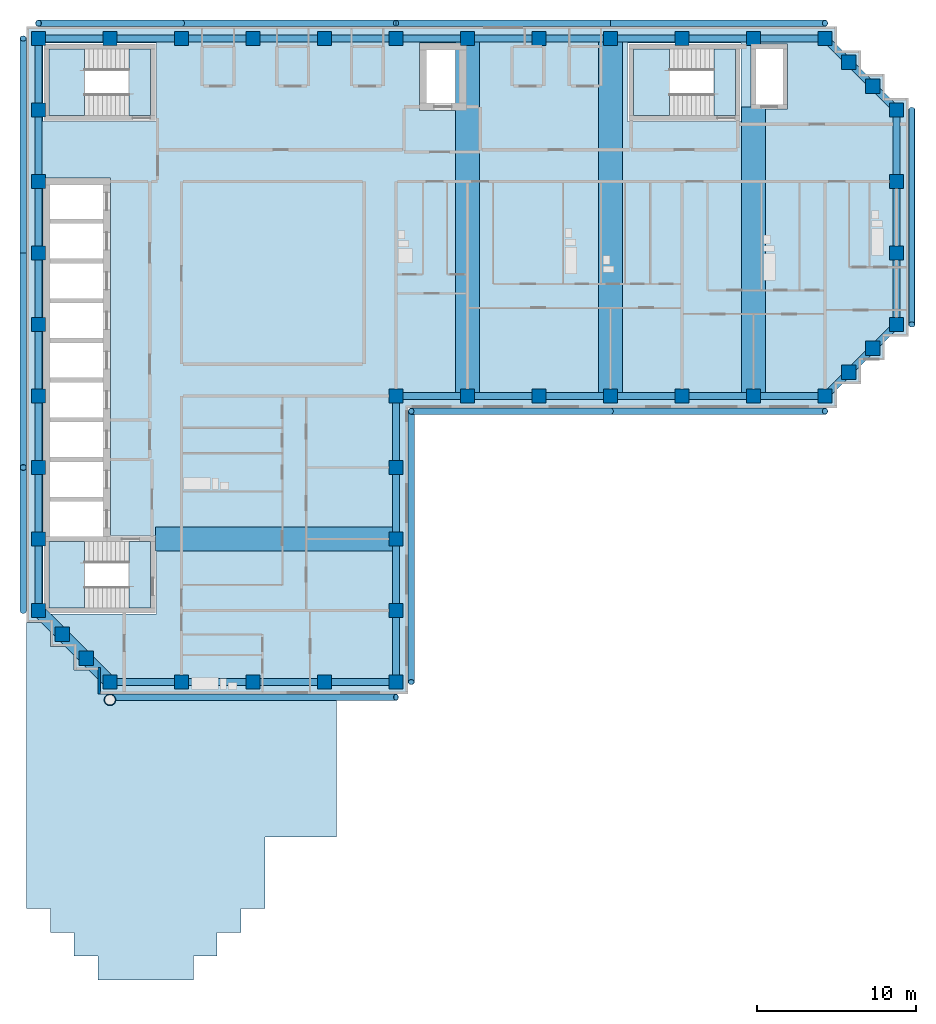
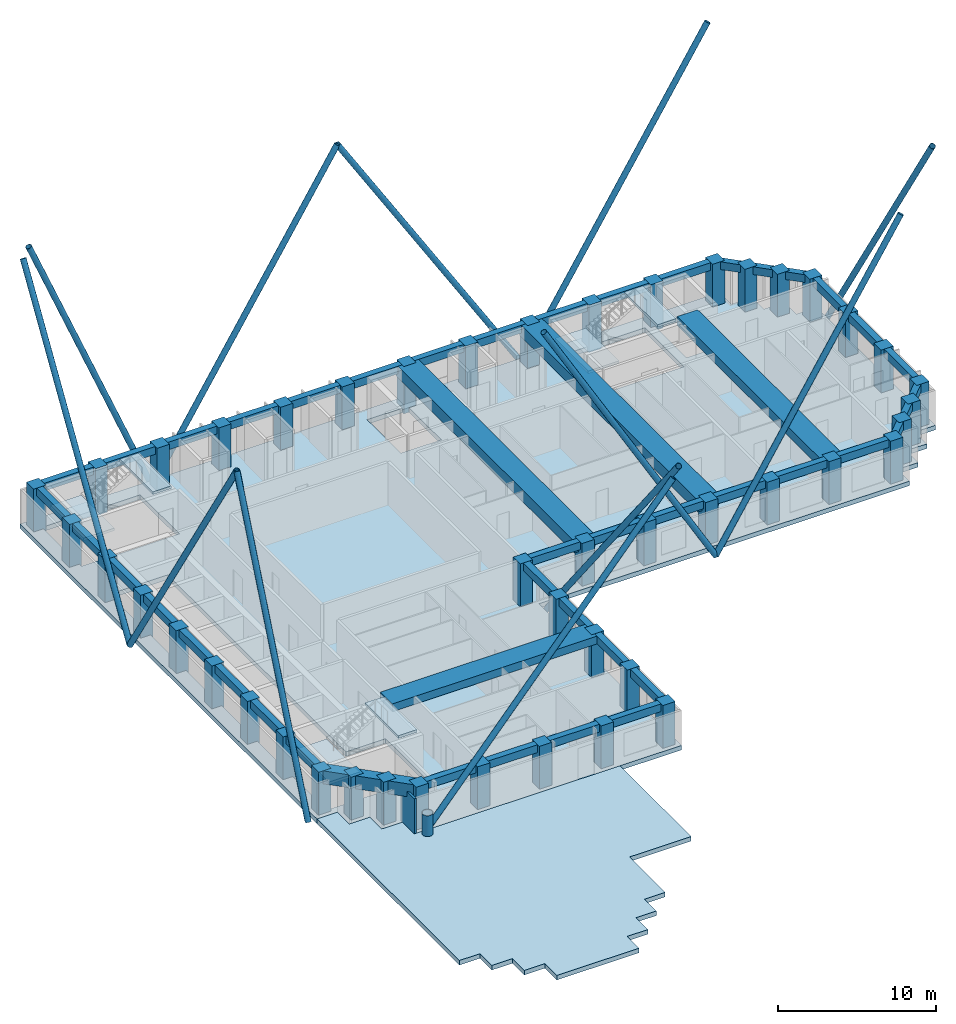
# One storey, part 1 of 9: 49 beams, 45 columns, 13 members, 8 slabs, 1 wall, 3 elements without a shape of their own.
"""IFC4 building model written with IfcOpenShell, lengths in metres."""

from ifc_helpers import new_model, si_unit, direction, frame, frame_2d, origin, origin_2d, place, context, subcontext, project, spatial, polyline, rectangle, hollow_circle, outline, extrude, material, layer, layer_set, material_profile, profile_set, type_object, element, aggregate, save


model = new_model("IFC4")

# Units and contexts
model_context = context("Model", 3, precision=1e-05, world=origin(), true_north=direction((0.0, 1.0)))
body_context = subcontext(model_context, "Body", "Model", "MODEL_VIEW")
ifc_project = project(units=[si_unit("LENGTHUNIT", "METRE"), si_unit("AREAUNIT", "SQUARE_METRE"), si_unit("VOLUMEUNIT", "CUBIC_METRE"), si_unit("PLANEANGLEUNIT", "RADIAN"), si_unit("MASSUNIT", "GRAM", prefix="KILO")], contexts=[model_context])

# Site, building, storey
site_placement = place(None, origin())
site = spatial("IfcSite", under=ifc_project, at=site_placement, CompositionType="ELEMENT")
building_placement = place(site_placement, origin())
building = spatial("IfcBuilding", under=site, at=building_placement, Name="Firuza Court", CompositionType="ELEMENT")
storey_placement = place(building_placement, frame((0.0, 0.0, 211.39990234375)))
storey = spatial("IfcBuildingStorey", under=building, at=storey_placement, Name="L54", CompositionType="ELEMENT", Elevation=211.39990234375)

# Columns
ifc_material_1 = material(Name="Concrete C50/60", Category="concrete")
ifc_material_profile_1 = material_profile(ifc_material_1, rectangle(XDim=0.89990234375, YDim=0.89990234375, at=origin_2d()), Name="RC 900x900")
ifc_profile_set_1 = profile_set([ifc_material_profile_1], Name="Concrete C50/60")
column_type = type_object("IfcColumnType", Name="Tube column RC 900x900 C50/60", PredefinedType="COLUMN", material=ifc_profile_set_1)
for number, where, z_axis, x_axis, name in (
    (1, (4.5, 18.0, -0.349853515625), (0.0, 0.0, 1.0), (1.0, 0.0, 0.0), "Column C-2H L54"),
    (2, (9.0, 18.0, -0.349853515625), (0.0, 0.0, 1.0), (1.0, 0.0, 0.0), "Column C-3H L54"),
    (3, (13.5, 18.0, -0.349853515625), (0.0, 0.0, 1.0), (1.0, 0.0, 0.0), "Column C-4H L54"),
    (4, (18.0, 18.0, -0.349853515625), (0.0, 0.0, 1.0), (1.0, 0.0, 0.0), "Column C-5H L54"),
    (5, (22.5, 18.0, -0.349853515625), (0.0, 0.0, 1.0), (1.0, 0.0, 0.0), "Column C-6H L54"),
    (6, (3.0, 19.5, -0.349853515625), (0.0, 0.0, 1.0), (1.0, 0.0, 0.0), "Column C-SA1 L54"),
    (7, (1.5, 21.0, -0.349853515625), (0.0, 0.0, 1.0), (1.0, 0.0, 0.0), "Column C-SA2 L54"),
    (8, (0.0, 22.5, -0.349853515625), (0.0, 0.0, 1.0), (1.0, 0.0, 0.0), "Column C-1J L54"),
    (9, (22.5, 22.5, -0.349853515625), (0.0, 0.0, 1.0), (1.0, 0.0, 0.0), "Column C-6J L54"),
    (10, (0.0, 27.0, -0.349853515625), (0.0, 0.0, 1.0), (1.0, 0.0, 0.0), "Column C-1K L54"),
    (11, (22.5, 27.0, -0.349853515625), (0.0, 0.0, 1.0), (1.0, 0.0, 0.0), "Column C-6K L54"),
    (12, (0.0, 31.5, -0.349853515625), (0.0, 0.0, 1.0), (1.0, 0.0, 0.0), "Column C-1L L54"),
    (13, (22.5, 31.5, -0.349853515625), (0.0, 0.0, 1.0), (1.0, 0.0, 0.0), "Column C-6L L54"),
    (14, (0.0, 36.0, -0.349853515625), (0.0, 0.0, 1.0), (1.0, 0.0, 0.0), "Column C-1M L54"),
    (15, (22.5, 36.0, -0.349853515625), (0.0, 0.0, 1.0), (1.0, 0.0, 0.0), "Column C-6M L54"),
    (16, (27.0, 36.0, -0.349853515625), (0.0, 0.0, 1.0), (1.0, 0.0, 0.0), "Column C-7M L54"),
    (17, (31.5, 36.0, -0.349853515625), (0.0, 0.0, 1.0), (1.0, 0.0, 0.0), "Column C-8M L54"),
    (18, (36.0, 36.0, -0.349853515625), (0.0, 0.0, 1.0), (1.0, 0.0, 0.0), "Column C-9M L54"),
    (19, (40.5, 36.0, -0.349853515625), (0.0, 0.0, 1.0), (1.0, 0.0, 0.0), "Column C-10M L54"),
    (20, (45.0, 36.0, -0.349853515625), (0.0, 0.0, 1.0), (1.0, 0.0, 0.0), "Column C-11M L54"),
    (21, (49.5, 36.0, -0.349853515625), (0.0, 0.0, 1.0), (1.0, 0.0, 0.0), "Column C-12M L54"),
    (22, (51.0, 37.5, -0.349853515625), (0.0, 0.0, 1.0), (1.0, 0.0, 0.0), "Column C-SA3 L54"),
    (23, (52.5, 39.0, -0.349853515625), (0.0, 0.0, 1.0), (1.0, 0.0, 0.0), "Column C-SA4 L54"),
    (24, (0.0, 40.5, -0.349853515625), (0.0, 0.0, 1.0), (1.0, 0.0, 0.0), "Column C-1N L54"),
    (25, (54.0, 40.5, -0.349853515625), (0.0, 0.0, 1.0), (1.0, 0.0, 0.0), "Column C-13N L54"),
    (26, (0.0, 45.0, -0.349853515625), (0.0, 0.0, 1.0), (1.0, 0.0, 0.0), "Column C-1P L54"),
    (27, (54.0, 45.0, -0.349853515625), (0.0, 0.0, 1.0), (1.0, 0.0, 0.0), "Column C-13P L54"),
    (28, (0.0, 49.5, -0.349853515625), (0.0, 0.0, 1.0), (1.0, 0.0, 0.0), "Column C-1Q L54"),
    (29, (54.0, 49.5, -0.349853515625), (0.0, 0.0, 1.0), (1.0, 0.0, 0.0), "Column C-13Q L54"),
    (30, (0.0, 54.0, -0.349853515625), (0.0, 0.0, 1.0), (1.0, 0.0, 0.0), "Column C-1R L54"),
    (31, (54.0, 54.0, -0.349853515625), (0.0, 0.0, 1.0), (1.0, 0.0, 0.0), "Column C-13R L54"),
    (32, (52.5, 55.5, -0.349853515625), (0.0, 0.0, 1.0), (1.0, 0.0, 0.0), "Column C-SA5 L54"),
    (33, (51.0, 57.0, -0.349853515625), (0.0, 0.0, 1.0), (1.0, 0.0, 0.0), "Column C-SA6 L54"),
    (34, (0.0, 58.5, -0.349853515625), (0.0, 0.0, 1.0), (1.0, 0.0, 0.0), "Column C-1S L54"),
    (35, (4.5, 58.5, -0.349853515625), (0.0, 0.0, 1.0), (1.0, 0.0, 0.0), "Column C-2S L54"),
    (36, (9.0, 58.5, -0.349853515625), (0.0, 0.0, 1.0), (1.0, 0.0, 0.0), "Column C-3S L54"),
    (37, (13.5, 58.5, -0.349853515625), (0.0, 0.0, 1.0), (1.0, 0.0, 0.0), "Column C-4S L54"),
    (38, (18.0, 58.5, -0.349853515625), (0.0, 0.0, 1.0), (1.0, 0.0, 0.0), "Column C-5S L54"),
    (39, (22.5, 58.5, -0.349853515625), (0.0, 0.0, 1.0), (1.0, 0.0, 0.0), "Column C-6S L54"),
    (40, (27.0, 58.5, -0.349853515625), (0.0, 0.0, 1.0), (1.0, 0.0, 0.0), "Column C-7S L54"),
    (41, (31.5, 58.5, -0.349853515625), (0.0, 0.0, 1.0), (1.0, 0.0, 0.0), "Column C-8S L54"),
    (42, (36.0, 58.5, -0.349853515625), (0.0, 0.0, 1.0), (1.0, 0.0, 0.0), "Column C-9S L54"),
    (43, (40.5, 58.5, -0.349853515625), (0.0, 0.0, 1.0), (1.0, 0.0, 0.0), "Column C-10S L54"),
    (44, (45.0, 58.5, -0.349853515625), (0.0, 0.0, 1.0), (1.0, 0.0, 0.0), "Column C-11S L54"),
    (45, (49.5, 58.5, -0.349853515625), (0.0, 0.0, 1.0), (1.0, 0.0, 0.0), "Column C-12S L54"),
):
    element("IfcColumn", number, at=place(storey_placement, frame(where, z_axis=z_axis, x_axis=x_axis)), inside=storey, type_object=column_type, Name=name, PredefinedType="COLUMN", context=body_context, shape_type="SweptSolid", body=[
        extrude(rectangle(XDim=0.89990234375, YDim=0.89990234375, at=origin_2d()), origin(), (0.0, 0.0, 1.0), 3.64990234375),
    ])

# Beams
ifc_material_2 = material(Name="Concrete C40/50", Category="concrete")
ifc_material_profile_2 = material_profile(ifc_material_2, rectangle(XDim=1.5, YDim=0.60009765625, at=origin_2d()), Name="RC 1500x600")
ifc_profile_set_2 = profile_set([ifc_material_profile_2], Name="Concrete C40/50")
beam_type_1 = type_object("IfcBeamType", Name="Band beam RC 1500x600 C40/50", PredefinedType="BEAM", material=ifc_profile_set_2)
beam_1_placement = place(storey_placement, frame((22.5, 27.0, 3.0), z_axis=(-1.0, 0.0, 0.0), x_axis=(0.0, -1.0, 0.0)))
element("IfcBeam", 46, at=beam_1_placement, inside=storey, type_object=beam_type_1, Name="Band beam FB3 level L55", PredefinedType="BEAM", context=body_context, shape_type="SweptSolid", body=[
    extrude(rectangle(XDim=1.5, YDim=0.60009765625, at=origin_2d()), origin(), (0.0, 0.0, 1.0), 15.14990234375),
])
ifc_material_3 = material(Name="Concrete C40/50", Category="concrete")
ifc_material_profile_3 = material_profile(ifc_material_3, rectangle(XDim=1.5, YDim=0.699951171875, at=origin_2d()), Name="RC 1500x700")
ifc_profile_set_3 = profile_set([ifc_material_profile_3], Name="Concrete C40/50")
beam_type_2 = type_object("IfcBeamType", Name="Band beam RC 1500x700 C40/50", PredefinedType="BEAM", material=ifc_profile_set_3)
beam_2_placement = place(storey_placement, frame((45.0, 36.0, 2.9501953125), z_axis=(0.0, 1.0, 0.0), x_axis=(-1.0, 0.0, 0.0)))
element("IfcBeam", 47, at=beam_2_placement, inside=storey, type_object=beam_type_2, Name="Band beam FB1 level L55", PredefinedType="BEAM", context=body_context, shape_type="SweptSolid", body=[
    extrude(rectangle(XDim=1.5, YDim=0.699951171875, at=origin_2d()), origin(), (0.0, 0.0, 1.0), 18.199951171875),
])
ifc_material_4 = material(Name="Concrete C40/50", Category="concrete")
ifc_material_profile_4 = material_profile(ifc_material_4, rectangle(XDim=1.5, YDim=0.89990234375, at=origin_2d()), Name="RC 1500x900")
ifc_profile_set_4 = profile_set([ifc_material_profile_4], Name="Concrete C40/50")
beam_type_3 = type_object("IfcBeamType", Name="Band beam RC 1500x900 C40/50", PredefinedType="BEAM", material=ifc_profile_set_4)
for number, where, z_axis, x_axis, name in (
    (48, (27.0, 36.0, 2.85009765625), (0.0, 1.0, 0.0), (-1.0, 0.0, 0.0), "Band beam FB2 level L55"),
    (49, (36.0, 36.0, 2.85009765625), (0.0, 1.0, 0.0), (-1.0, 0.0, 0.0), "Band beam FB2 level L55"),
):
    element("IfcBeam", number, at=place(storey_placement, frame(where, z_axis=z_axis, x_axis=x_axis)), inside=storey, type_object=beam_type_3, Name=name, PredefinedType="BEAM", context=body_context, shape_type="SweptSolid", body=[
        extrude(rectangle(XDim=1.5, YDim=0.89990234375, at=origin_2d()), origin(), (0.0, 0.0, 1.0), 22.5),
    ])

# Members
ifc_material_5 = material(Name="Steel S355", Category="steel")
ifc_material_profile_5 = material_profile(ifc_material_5, hollow_circle(Radius=0.203125, WallThickness=0.01611328125, at=origin_2d()), Name="CHS 406.4x16")
ifc_profile_set_5 = profile_set([ifc_material_profile_5], Name="Steel S355")
member_type_1 = type_object("IfcMemberType", Name="Diagrid diagonal CHS 406.4x16 S355", PredefinedType="USERDEFINED", material=ifc_profile_set_5)
member_1_placement = place(storey_placement, frame((4.5, 17.041748046875, 0.13232421875), z_axis=(0.65316075649, 0.0, 0.757219272193), x_axis=(0.0, 1.0, 0.0)))
element("IfcMember", 50, at=member_1_placement, inside=storey, type_object=member_type_1, Name="Diagrid diagonal L54 to L60", ObjectType="DIAGRID", PredefinedType="USERDEFINED", context=body_context, shape_type="SweptSolid", body=[
    extrude(hollow_circle(Radius=0.203125, WallThickness=0.01611328125, at=origin_2d()), origin(), (0.0, 0.0, 1.0), 27.558349609375),
])
member_2_placement = place(storey_placement, frame((23.458251953125, 35.041748046875, -0.599853515625), z_axis=(0.0, -0.619403158167, 0.785073071537), x_axis=(1.0, 0.0, 0.0)))
element("IfcMember", 51, at=member_2_placement, inside=storey, type_object=member_type_1, Name="Diagrid diagonal L54 to L60", ObjectType="DIAGRID", PredefinedType="USERDEFINED", context=body_context, shape_type="SweptSolid", body=[
    extrude(hollow_circle(Radius=0.203125, WallThickness=0.01611328125, at=origin_2d()), origin(), (0.0, 0.0, 1.0), 27.51318359375),
])
member_3_placement = place(storey_placement, frame((36.0, 35.041748046875, -0.599853515625), z_axis=(-0.502132451877, 0.0, 0.864790726576), x_axis=(0.0, -1.0, 0.0)))
element("IfcMember", 52, at=member_3_placement, inside=storey, type_object=member_type_1, Name="Diagrid diagonal L54 to L60", ObjectType="DIAGRID", PredefinedType="USERDEFINED", context=body_context, shape_type="SweptSolid", body=[
    extrude(hollow_circle(Radius=0.203125, WallThickness=0.01611328125, at=origin_2d()), origin(), (0.0, 0.0, 1.0), 24.97705078125),
])
for number, where, z_axis, x_axis, name in (
    (53, (36.0, 35.041748046875, -0.599853515625), (0.530001524668, 0.0, 0.847996688584), (0.0, 1.0, 0.0), "Diagrid diagonal L54 to L60"),
    (54, (54.958251953125, 54.0, -0.599853515625), (0.0, -0.530001524668, 0.847996688584), (1.0, 0.0, 0.0), "Diagrid diagonal L54 to L60"),
    (55, (36.0, 59.458251953125, -0.599853515625), (0.530001524668, 0.0, 0.847996688584), (0.0, 1.0, 0.0), "Diagrid diagonal L54 to L60"),
    (56, (36.0, 59.458251953125, -0.599853515625), (-0.530001524668, 0.0, 0.847996688584), (0.0, -1.0, 0.0), "Diagrid diagonal L54 to L60"),
    (57, (9.0, 59.458251953125, -0.599853515625), (0.530001524668, 0.0, 0.847996688584), (0.0, 1.0, 0.0), "Diagrid diagonal L54 to L60"),
):
    element("IfcMember", number, at=place(storey_placement, frame(where, z_axis=z_axis, x_axis=x_axis)), inside=storey, type_object=member_type_1, Name=name, ObjectType="DIAGRID", PredefinedType="USERDEFINED", context=body_context, shape_type="SweptSolid", body=[
        extrude(hollow_circle(Radius=0.203125, WallThickness=0.01611328125, at=origin_2d()), origin(), (0.0, 0.0, 1.0), 25.4716796875),
    ])
member_4_placement = place(storey_placement, frame((9.0, 59.458251953125, -0.599853515625), z_axis=(-0.384617607118, 0.0, 0.923075997031), x_axis=(0.0, -1.0, 0.0)))
element("IfcMember", 58, at=member_4_placement, inside=storey, type_object=member_type_1, Name="Diagrid diagonal L54 to L60", ObjectType="DIAGRID", PredefinedType="USERDEFINED", context=body_context, shape_type="SweptSolid", body=[
    extrude(hollow_circle(Radius=0.203125, WallThickness=0.01611328125, at=origin_2d()), origin(), (0.0, 0.0, 1.0), 23.39990234375),
])
for number, where, z_axis, x_axis, name in (
    (59, (-0.958251953125, 45.0, -0.599853515625), (0.0, 0.530001524668, 0.847996688584), (-1.0, 0.0, 0.0), "Diagrid diagonal L54 to L60"),
    (60, (-0.958251953125, 45.0, -0.599853515625), (0.0, -0.530001524668, 0.847996688584), (1.0, 0.0, 0.0), "Diagrid diagonal L54 to L60"),
):
    element("IfcMember", number, at=place(storey_placement, frame(where, z_axis=z_axis, x_axis=x_axis)), inside=storey, type_object=member_type_1, Name=name, ObjectType="DIAGRID", PredefinedType="USERDEFINED", context=body_context, shape_type="SweptSolid", body=[
        extrude(hollow_circle(Radius=0.203125, WallThickness=0.01611328125, at=origin_2d()), origin(), (0.0, 0.0, 1.0), 25.4716796875),
    ])
member_5_placement = place(storey_placement, frame((-0.958251953125, 22.5, -0.599853515625), z_axis=(0.0, 0.384617607118, 0.923075997031), x_axis=(-1.0, 0.0, 0.0)))
element("IfcMember", 61, at=member_5_placement, inside=storey, type_object=member_type_1, Name="Diagrid diagonal L54 to L60", ObjectType="DIAGRID", PredefinedType="USERDEFINED", context=body_context, shape_type="SweptSolid", body=[
    extrude(hollow_circle(Radius=0.203125, WallThickness=0.01611328125, at=origin_2d()), origin(), (0.0, 0.0, 1.0), 23.39990234375),
])
ifc_material_6 = material(Name="Steel S355", Category="steel")
ifc_material_profile_6 = material_profile(ifc_material_6, hollow_circle(Radius=0.35546875, WallThickness=0.030029296875, at=origin_2d()), Name="CHS 711x30")
ifc_profile_set_6 = profile_set([ifc_material_profile_6], Name="Steel S355")
member_type_2 = type_object("IfcMemberType", Name="Diagrid node CHS 711x30 S355", PredefinedType="USERDEFINED", material=ifc_profile_set_6)
member_6_placement = place(storey_placement, frame((4.5, 16.8798828125, -0.349853515625), z_axis=(0.0, 0.0, 1.0), x_axis=(1.0, 0.0, 0.0)))
element("IfcMember", 62, at=member_6_placement, inside=storey, type_object=member_type_2, Name="Diagrid node level L54", ObjectType="DIAGRID NODE", PredefinedType="USERDEFINED", context=body_context, shape_type="SweptSolid", body=[
    extrude(hollow_circle(Radius=0.35546875, WallThickness=0.030029296875, at=origin_2d()), origin(), (0.0, 0.0, 1.0), 1.949951171875),
])

# Beams
ifc_material_7 = material(Name="Concrete C40/50", Category="concrete")
ifc_material_profile_7 = material_profile(ifc_material_7, rectangle(XDim=0.449951171875, YDim=0.60009765625, at=origin_2d()), Name="RC 450x600")
ifc_profile_set_7 = profile_set([ifc_material_profile_7], Name="Concrete C40/50")
beam_type_4 = type_object("IfcBeamType", Name="Spandrel beam RC 450x600 C40/50", PredefinedType="BEAM", material=ifc_profile_set_7)
for number, where, z_axis, x_axis, name in (
    (63, (0.0, 27.0, 3.0), (0.0, -1.0, 0.0), (1.0, 0.0, 0.0), "Spandrel beam SP15 level L55"),
    (64, (0.0, 31.5, 3.0), (0.0, -1.0, 0.0), (1.0, 0.0, 0.0), "Spandrel beam SP15 level L55"),
    (65, (0.0, 36.0, 3.0), (0.0, -1.0, 0.0), (1.0, 0.0, 0.0), "Spandrel beam SP15 level L55"),
    (66, (0.0, 40.5, 3.0), (0.0, -1.0, 0.0), (1.0, 0.0, 0.0), "Spandrel beam SP15 level L55"),
    (67, (0.0, 45.0, 3.0), (0.0, -1.0, 0.0), (1.0, 0.0, 0.0), "Spandrel beam SP15 level L55"),
    (68, (0.0, 49.5, 3.0), (0.0, -1.0, 0.0), (1.0, 0.0, 0.0), "Spandrel beam SP15 level L55"),
    (69, (0.0, 54.0, 3.0), (0.0, -1.0, 0.0), (1.0, 0.0, 0.0), "Spandrel beam SP15 level L55"),
    (70, (0.0, 58.5, 3.0), (0.0, -1.0, 0.0), (1.0, 0.0, 0.0), "Spandrel beam SP15 level L55"),
    (71, (4.5, 18.0, 3.0), (1.0, 0.0, 0.0), (0.0, 1.0, 0.0), "Spandrel beam SP15 level L55"),
    (72, (4.5, 58.5, 3.0), (-1.0, 0.0, 0.0), (0.0, -1.0, 0.0), "Spandrel beam SP15 level L55"),
    (73, (9.0, 18.0, 3.0), (1.0, 0.0, 0.0), (0.0, 1.0, 0.0), "Spandrel beam SP15 level L55"),
    (74, (9.0, 58.5, 3.0), (-1.0, 0.0, 0.0), (0.0, -1.0, 0.0), "Spandrel beam SP15 level L55"),
    (75, (13.5, 18.0, 3.0), (1.0, 0.0, 0.0), (0.0, 1.0, 0.0), "Spandrel beam SP15 level L55"),
    (76, (13.5, 58.5, 3.0), (-1.0, 0.0, 0.0), (0.0, -1.0, 0.0), "Spandrel beam SP15 level L55"),
    (77, (18.0, 18.0, 3.0), (1.0, 0.0, 0.0), (0.0, 1.0, 0.0), "Spandrel beam SP15 level L55"),
    (78, (18.0, 58.5, 3.0), (-1.0, 0.0, 0.0), (0.0, -1.0, 0.0), "Spandrel beam SP15 level L55"),
    (79, (22.5, 18.0, 3.0), (0.0, 1.0, 0.0), (-1.0, 0.0, 0.0), "Spandrel beam SP15 level L55"),
    (80, (22.5, 22.5, 3.0), (0.0, 1.0, 0.0), (-1.0, 0.0, 0.0), "Spandrel beam SP15 level L55"),
    (81, (22.5, 27.0, 3.0), (0.0, 1.0, 0.0), (-1.0, 0.0, 0.0), "Spandrel beam SP15 level L55"),
    (82, (22.5, 31.5, 3.0), (0.0, 1.0, 0.0), (-1.0, 0.0, 0.0), "Spandrel beam SP15 level L55"),
    (83, (22.5, 36.0, 3.0), (1.0, 0.0, 0.0), (0.0, 1.0, 0.0), "Spandrel beam SP15 level L55"),
    (84, (22.5, 58.5, 3.0), (-1.0, 0.0, 0.0), (0.0, -1.0, 0.0), "Spandrel beam SP15 level L55"),
    (85, (27.0, 36.0, 3.0), (1.0, 0.0, 0.0), (0.0, 1.0, 0.0), "Spandrel beam SP15 level L55"),
    (86, (27.0, 58.5, 3.0), (-1.0, 0.0, 0.0), (0.0, -1.0, 0.0), "Spandrel beam SP15 level L55"),
    (87, (31.5, 36.0, 3.0), (1.0, 0.0, 0.0), (0.0, 1.0, 0.0), "Spandrel beam SP15 level L55"),
    (88, (31.5, 58.5, 3.0), (-1.0, 0.0, 0.0), (0.0, -1.0, 0.0), "Spandrel beam SP15 level L55"),
    (89, (36.0, 36.0, 3.0), (1.0, 0.0, 0.0), (0.0, 1.0, 0.0), "Spandrel beam SP15 level L55"),
    (90, (36.0, 58.5, 3.0), (-1.0, 0.0, 0.0), (0.0, -1.0, 0.0), "Spandrel beam SP15 level L55"),
    (91, (40.5, 36.0, 3.0), (1.0, 0.0, 0.0), (0.0, 1.0, 0.0), "Spandrel beam SP15 level L55"),
    (92, (40.5, 58.5, 3.0), (-1.0, 0.0, 0.0), (0.0, -1.0, 0.0), "Spandrel beam SP15 level L55"),
    (93, (45.0, 36.0, 3.0), (1.0, 0.0, 0.0), (0.0, 1.0, 0.0), "Spandrel beam SP15 level L55"),
    (94, (45.0, 58.5, 3.0), (-1.0, 0.0, 0.0), (0.0, -1.0, 0.0), "Spandrel beam SP15 level L55"),
):
    element("IfcBeam", number, at=place(storey_placement, frame(where, z_axis=z_axis, x_axis=x_axis)), inside=storey, type_object=beam_type_4, Name=name, PredefinedType="BEAM", context=body_context, shape_type="SweptSolid", body=[
        extrude(rectangle(XDim=0.449951171875, YDim=0.60009765625, at=origin_2d()), origin(), (0.0, 0.0, 1.0), 4.5),
    ])
beam_3_placement = place(storey_placement, frame((49.5, 36.0, 3.0), z_axis=(0.707106781187, 0.707106781187, 0.0), x_axis=(-0.707106781187, 0.707106781187, 0.0)))
element("IfcBeam", 95, at=beam_3_placement, inside=storey, type_object=beam_type_4, Name="Spandrel beam SP15 level L55", PredefinedType="BEAM", context=body_context, shape_type="SweptSolid", body=[
    extrude(rectangle(XDim=0.449951171875, YDim=0.60009765625, at=origin_2d()), origin(), (0.0, 0.0, 1.0), 2.121337890625),
])
beam_4_placement = place(storey_placement, frame((49.5, 58.5, 3.0), z_axis=(-1.0, 0.0, 0.0), x_axis=(0.0, -1.0, 0.0)))
element("IfcBeam", 96, at=beam_4_placement, inside=storey, type_object=beam_type_4, Name="Spandrel beam SP15 level L55", PredefinedType="BEAM", context=body_context, shape_type="SweptSolid", body=[
    extrude(rectangle(XDim=0.449951171875, YDim=0.60009765625, at=origin_2d()), origin(), (0.0, 0.0, 1.0), 4.5),
])
for number, where, z_axis, x_axis, name in (
    (97, (51.0, 37.5, 3.0), (0.707106781187, 0.707106781187, 0.0), (-0.707106781187, 0.707106781187, 0.0), "Spandrel beam SP15 level L55"),
    (98, (51.0, 57.0, 3.0), (-0.707106781187, 0.707106781187, 0.0), (-0.707106781187, -0.707106781187, 0.0), "Spandrel beam SP15 level L55"),
    (99, (52.5, 39.0, 3.0), (0.707106781187, 0.707106781187, 0.0), (-0.707106781187, 0.707106781187, 0.0), "Spandrel beam SP15 level L55"),
    (100, (52.5, 55.5, 3.0), (-0.707106781187, 0.707106781187, 0.0), (-0.707106781187, -0.707106781187, 0.0), "Spandrel beam SP15 level L55"),
):
    element("IfcBeam", number, at=place(storey_placement, frame(where, z_axis=z_axis, x_axis=x_axis)), inside=storey, type_object=beam_type_4, Name=name, PredefinedType="BEAM", context=body_context, shape_type="SweptSolid", body=[
        extrude(rectangle(XDim=0.449951171875, YDim=0.60009765625, at=origin_2d()), origin(), (0.0, 0.0, 1.0), 2.121337890625),
    ])
for number, where, z_axis, x_axis, name in (
    (101, (54.0, 40.5, 3.0), (0.0, 1.0, 0.0), (-1.0, 0.0, 0.0), "Spandrel beam SP15 level L55"),
    (102, (54.0, 45.0, 3.0), (0.0, 1.0, 0.0), (-1.0, 0.0, 0.0), "Spandrel beam SP15 level L55"),
    (103, (54.0, 49.5, 3.0), (0.0, 1.0, 0.0), (-1.0, 0.0, 0.0), "Spandrel beam SP15 level L55"),
):
    element("IfcBeam", number, at=place(storey_placement, frame(where, z_axis=z_axis, x_axis=x_axis)), inside=storey, type_object=beam_type_4, Name=name, PredefinedType="BEAM", context=body_context, shape_type="SweptSolid", body=[
        extrude(rectangle(XDim=0.449951171875, YDim=0.60009765625, at=origin_2d()), origin(), (0.0, 0.0, 1.0), 4.5),
    ])
beam_5_placement = place(storey_placement, frame((54.0, 54.0, 3.0), z_axis=(-0.707106781187, 0.707106781187, 0.0), x_axis=(-0.707106781187, -0.707106781187, 0.0)))
element("IfcBeam", 104, at=beam_5_placement, inside=storey, type_object=beam_type_4, Name="Spandrel beam SP15 level L55", PredefinedType="BEAM", context=body_context, shape_type="SweptSolid", body=[
    extrude(rectangle(XDim=0.449951171875, YDim=0.60009765625, at=origin_2d()), origin(), (0.0, 0.0, 1.0), 2.121337890625),
])
ifc_material_8 = material(Name="Concrete C60/75", Category="concrete")
ifc_material_profile_8 = material_profile(ifc_material_8, rectangle(XDim=0.800048828125, YDim=1.0, at=origin_2d()), Name="RC 800x1000")
ifc_profile_set_8 = profile_set([ifc_material_profile_8], Name="Concrete C60/75")
beam_type_5 = type_object("IfcBeamType", Name="Transfer girder RC 800x1000 C60/75", PredefinedType="USERDEFINED", material=ifc_profile_set_8)
for number, where, z_axis, x_axis, name in (
    (105, (0.0, 22.5, 2.800048828125), (0.707106781187, -0.707106781187, 0.0), (0.707106781187, 0.707106781187, 0.0), "Transfer girder TG2 level L55"),
    (106, (1.5, 21.0, 2.800048828125), (0.707106781187, -0.707106781187, 0.0), (0.707106781187, 0.707106781187, 0.0), "Transfer girder TG2 level L55"),
    (107, (3.0, 19.5, 2.800048828125), (0.707106781187, -0.707106781187, 0.0), (0.707106781187, 0.707106781187, 0.0), "Transfer girder TG2 level L55"),
):
    element("IfcBeam", number, at=place(storey_placement, frame(where, z_axis=z_axis, x_axis=x_axis)), inside=storey, type_object=beam_type_5, Name=name, ObjectType="TRANSFER GIRDER", PredefinedType="USERDEFINED", context=body_context, shape_type="SweptSolid", body=[
        extrude(rectangle(XDim=0.800048828125, YDim=1.0, at=origin_2d()), origin(), (0.0, 0.0, 1.0), 2.121337890625),
    ])

# Slabs
ifc_material_9 = material(Name="Concrete C40/50", Category="concrete")
ifc_layer_1 = layer(ifc_material_9, 0.35009765625)
ifc_layer_set_1 = layer_set([ifc_layer_1], Name="Concrete C40/50")
slab_type_1 = type_object("IfcSlabType", Name="Floor slab 350 C40/50", PredefinedType="FLOOR", material=ifc_layer_set_1)
slab_1_placement = place(storey_placement, frame((0.0, 0.0, -0.349853515625)))
element("IfcSlab", 108, at=slab_1_placement, inside=storey, type_object=slab_type_1, Name="Floor slab L54", PredefinedType="FLOOR", context=body_context, shape_type="SweptSolid", body=[
    extrude(outline(polyline([(-0.75, 59.25), (50.25, 59.25), (50.25, 57.75), (51.75, 57.75), (51.75, 56.25), (53.25, 56.25), (53.25, 54.75), (54.75, 54.75), (54.75, 39.75), (53.25, 39.75), (53.25, 38.25), (51.75, 38.25), (51.75, 36.75), (50.25, 36.75), (50.25, 35.25), (23.25, 35.25), (23.25, 17.25), (3.75, 17.25), (3.75, 18.75), (2.25, 18.75), (2.25, 20.25), (0.75, 20.25), (0.75, 21.75), (-0.75, 21.75), (-0.75, 59.25)]), holes=[polyline([(0.27490234375, 34.27490234375), (0.27490234375, 32.22509765625), (0.27490234375, 31.77490234375), (0.27490234375, 29.72509765625), (0.27490234375, 29.27490234375), (0.27490234375, 27.22509765625), (0.27490234375, 26.77490234375), (0.27490234375, 22.27490234375), (7.425048828125, 22.27490234375), (7.425048828125, 27.22509765625), (4.52490234375, 27.22509765625), (4.52490234375, 29.27490234375), (4.52490234375, 29.72509765625), (4.52490234375, 31.77490234375), (4.52490234375, 32.22509765625), (4.52490234375, 34.27490234375), (4.52490234375, 34.72509765625), (4.52490234375, 36.77490234375), (4.52490234375, 37.22509765625), (4.52490234375, 39.27490234375), (4.52490234375, 39.72509765625), (4.52490234375, 41.77490234375), (4.52490234375, 42.22509765625), (4.52490234375, 44.27490234375), (4.52490234375, 44.72509765625), (4.52490234375, 46.77490234375), (4.52490234375, 47.22509765625), (4.52490234375, 49.72509765625), (0.27490234375, 49.72509765625), (0.27490234375, 47.22509765625), (0.27490234375, 46.77490234375), (0.27490234375, 44.72509765625), (0.27490234375, 44.27490234375), (0.27490234375, 42.22509765625), (0.27490234375, 41.77490234375), (0.27490234375, 39.72509765625), (0.27490234375, 39.27490234375), (0.27490234375, 37.22509765625), (0.27490234375, 36.77490234375), (0.27490234375, 34.72509765625), (0.27490234375, 34.27490234375)]), polyline([(7.425048828125, 58.22509765625), (0.27490234375, 58.22509765625), (0.27490234375, 53.27490234375), (7.425048828125, 53.27490234375), (7.425048828125, 58.22509765625)]), polyline([(44.22509765625, 58.22509765625), (37.074951171875, 58.22509765625), (37.074951171875, 53.27490234375), (44.22509765625, 53.27490234375), (44.22509765625, 58.22509765625)]), polyline([(26.925048828125, 58.22509765625), (23.97509765625, 58.22509765625), (23.97509765625, 53.97509765625), (26.925048828125, 53.97509765625), (26.925048828125, 58.22509765625)]), polyline([(47.14990234375, 58.14990234375), (44.85009765625, 58.14990234375), (44.85009765625, 54.050048828125), (47.14990234375, 54.050048828125), (47.14990234375, 58.14990234375)])]), origin(), (0.0, 0.0, 1.0), 0.349853515625),
])
ifc_layer_2 = layer(ifc_material_9, 0.35009765625)
ifc_layer_set_2 = layer_set([ifc_layer_2], Name="Concrete C40/50")
slab_type_2 = type_object("IfcSlabType", Name="Roof slab 350 C40/50", PredefinedType="ROOF", material=ifc_layer_set_2)
slab_2_placement = place(storey_placement, frame((0.0, 0.0, -0.349853515625)))
element("IfcSlab", 109, at=slab_2_placement, inside=storey, type_object=slab_type_2, Name="Terrace roof slab L54", PredefinedType="ROOF", context=body_context, shape_type="SweptSolid", body=[
    extrude(outline(polyline([(-0.75, 21.75), (0.75, 21.75), (0.75, 20.25), (2.25, 20.25), (2.25, 18.75), (3.75, 18.75), (3.75, 17.25), (18.75, 17.25), (18.75, 8.25), (14.25, 8.25), (14.25, 3.75), (12.75, 3.75), (12.75, 2.25), (11.25, 2.25), (11.25, 0.75), (9.75, 0.75), (9.75, -0.75), (3.75, -0.75), (3.75, 0.75), (2.25, 0.75), (2.25, 2.25), (0.75, 2.25), (0.75, 3.75), (-0.75, 3.75), (-0.75, 21.75)])), origin(), (0.0, 0.0, 1.0), 0.349853515625),
])

# Stair, slabs
ifc_material_10 = material(Name="Concrete C40/50 precast", Category="concrete")
stair_type = type_object("IfcStairType", Name="Stair 1350 x 3600 2 flights", PredefinedType="HALF_TURN_STAIR", material=ifc_material_10)
stair_1_placement = place(storey_placement, origin())
stair_1 = element("IfcStair", 110, at=stair_1_placement, inside=storey, type_object=stair_type, Name="Stair 1 L54", PredefinedType="HALF_TURN_STAIR")
ifc_material_11 = material(Name="Concrete C40/50 precast", Category="concrete")
ifc_layer_3 = layer(ifc_material_11, 0.199951171875)
ifc_layer_set_3 = layer_set([ifc_layer_3], Name="Concrete C40/50 precast")
slab_type_3 = type_object("IfcSlabType", Name="Stair landing 200", PredefinedType="LANDING", material=ifc_layer_set_3)
slab_3_placement = place(storey_placement, frame((0.0, 0.0, 1.60009765625)))
slab_3 = element("IfcSlab", 111, at=slab_3_placement, type_object=slab_type_3, Name="S1 landing 1", PredefinedType="LANDING", context=body_context, shape_type="SweptSolid", body=[
    extrude(outline(polyline([(39.699951171875, 53.64990234375), (39.699951171875, 57.85009765625), (37.449951171875, 57.85009765625), (37.449951171875, 53.64990234375), (39.699951171875, 53.64990234375)])), origin(), (0.0, 0.0, 1.0), 0.199951171875),
])
slab_4_placement = place(storey_placement, frame((0.0, 0.0, 3.400146484375)))
slab_4 = element("IfcSlab", 112, at=slab_4_placement, type_object=slab_type_3, Name="S1 landing 2", PredefinedType="LANDING", context=body_context, shape_type="SweptSolid", body=[
    extrude(outline(polyline([(43.85009765625, 53.64990234375), (43.85009765625, 57.85009765625), (42.5, 57.85009765625), (42.5, 53.64990234375), (43.85009765625, 53.64990234375)])), origin(), (0.0, 0.0, 1.0), 0.199951171875),
])
aggregate(stair_1, [slab_3, slab_4])

stair_2_placement = place(storey_placement, origin())
stair_2 = element("IfcStair", 113, at=stair_2_placement, inside=storey, type_object=stair_type, Name="Stair 2 L54", PredefinedType="HALF_TURN_STAIR")
slab_5_placement = place(storey_placement, frame((0.0, 0.0, 1.60009765625)))
slab_5 = element("IfcSlab", 114, at=slab_5_placement, type_object=slab_type_3, Name="S2 landing 1", PredefinedType="LANDING", context=body_context, shape_type="SweptSolid", body=[
    extrude(outline(polyline([(2.89990234375, 22.64990234375), (2.89990234375, 26.85009765625), (0.64990234375, 26.85009765625), (0.64990234375, 22.64990234375), (2.89990234375, 22.64990234375)])), origin(), (0.0, 0.0, 1.0), 0.199951171875),
])
slab_6_placement = place(storey_placement, frame((0.0, 0.0, 3.400146484375)))
slab_6 = element("IfcSlab", 115, at=slab_6_placement, type_object=slab_type_3, Name="S2 landing 2", PredefinedType="LANDING", context=body_context, shape_type="SweptSolid", body=[
    extrude(outline(polyline([(7.050048828125, 22.64990234375), (7.050048828125, 26.85009765625), (5.699951171875, 26.85009765625), (5.699951171875, 22.64990234375), (7.050048828125, 22.64990234375)])), origin(), (0.0, 0.0, 1.0), 0.199951171875),
])
aggregate(stair_2, [slab_5, slab_6])

stair_3_placement = place(storey_placement, origin())
stair_3 = element("IfcStair", 116, at=stair_3_placement, inside=storey, type_object=stair_type, Name="Stair 3 L54", PredefinedType="HALF_TURN_STAIR")
slab_7_placement = place(storey_placement, frame((0.0, 0.0, 1.60009765625)))
slab_7 = element("IfcSlab", 117, at=slab_7_placement, type_object=slab_type_3, Name="S3 landing 1", PredefinedType="LANDING", context=body_context, shape_type="SweptSolid", body=[
    extrude(outline(polyline([(2.89990234375, 53.64990234375), (2.89990234375, 57.85009765625), (0.64990234375, 57.85009765625), (0.64990234375, 53.64990234375), (2.89990234375, 53.64990234375)])), origin(), (0.0, 0.0, 1.0), 0.199951171875),
])
slab_8_placement = place(storey_placement, frame((0.0, 0.0, 3.400146484375)))
slab_8 = element("IfcSlab", 118, at=slab_8_placement, type_object=slab_type_3, Name="S3 landing 2", PredefinedType="LANDING", context=body_context, shape_type="SweptSolid", body=[
    extrude(outline(polyline([(7.050048828125, 53.64990234375), (7.050048828125, 57.85009765625), (5.699951171875, 57.85009765625), (5.699951171875, 53.64990234375), (7.050048828125, 53.64990234375)])), origin(), (0.0, 0.0, 1.0), 0.199951171875),
])
aggregate(stair_3, [slab_7, slab_8])

# Wall
ifc_material_12 = material(Name="Ceramic tile", Category="ceramic")
ifc_layer_4 = layer(ifc_material_12, 0.02001953125)
ifc_material_13 = material(Name="Mineral wool insulation", Category="insulation")
ifc_layer_5 = layer(ifc_material_13, 0.050048828125)
ifc_layer_6 = layer(ifc_material_11, 0.080078125)
ifc_layer_set_4 = layer_set([ifc_layer_4, ifc_layer_5, ifc_layer_6], Name="Concrete C40/50 precast")
wall_type = type_object("IfcWallType", Name="Precast cladding wall with turquoise TILE PANEL face 150", PredefinedType="STANDARD", material=ifc_layer_set_4)
wall_placement = place(storey_placement, frame((3.824951171875, 18.89990234375, 0.0), z_axis=(0.0, 0.0, 1.0), x_axis=(0.0, -1.0, 0.0)))
element("IfcWall", 119, at=wall_placement, inside=storey, type_object=wall_type, Name="Facade wall L54 W", PredefinedType="STANDARD", context=body_context, shape_type="SweptSolid", body=[
    extrude(rectangle(XDim=1.64990234375, YDim=0.14990234375, at=frame_2d((0.824951171875, 0.0))), origin(), (0.0, 0.0, 1.0), 2.7001953125),
])

save(model, "model.ifc")
